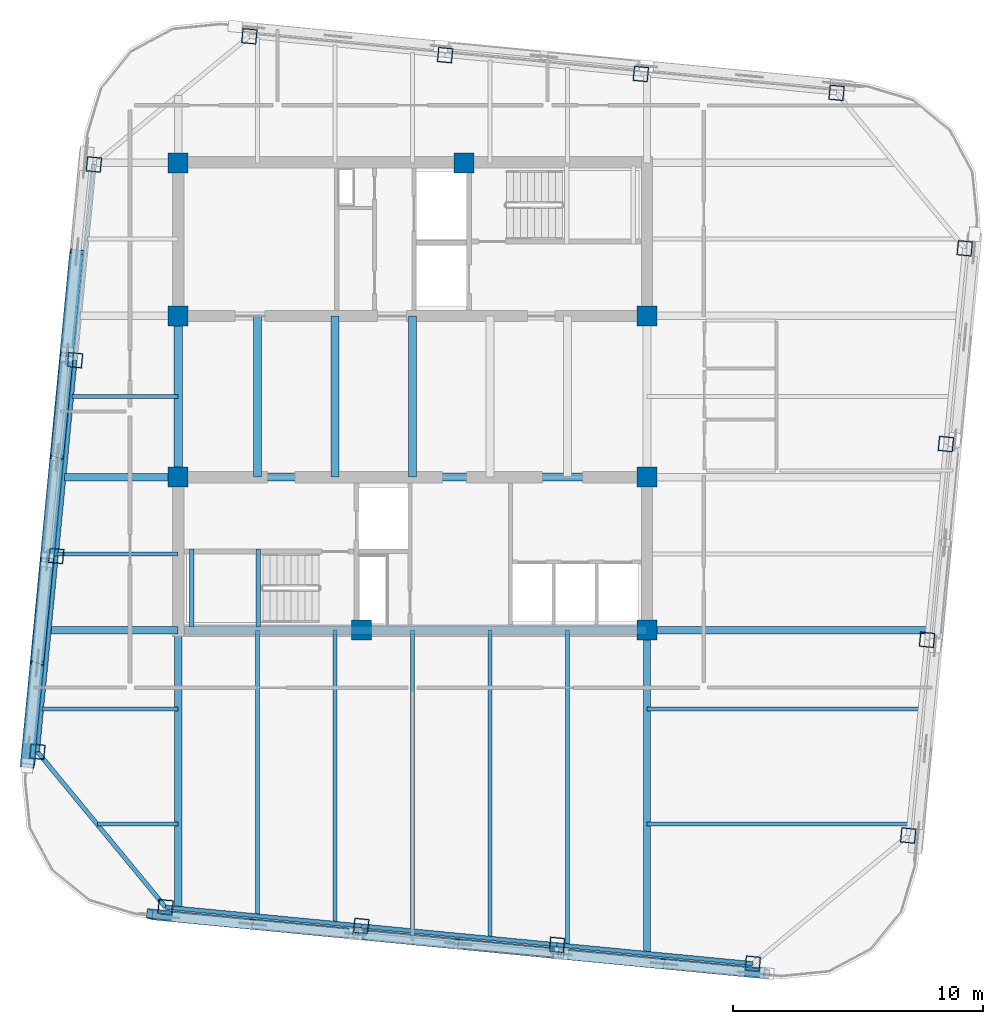
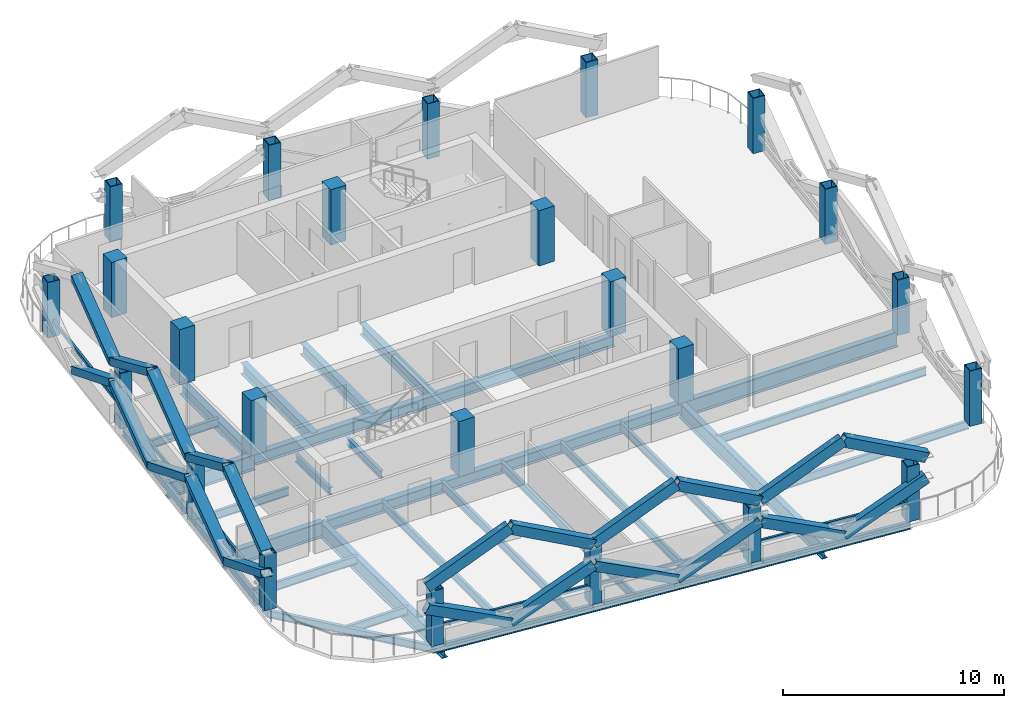
# One storey, part 1 of 10: 30 beams, 24 columns, 24 members.
"""IFC4 building model written with IfcOpenShell, lengths in metres."""

from ifc_helpers import new_model, si_unit, direction, frame, origin, origin_2d, place, context, subcontext, project, spatial, rectangle, hollow_rectangle, i_section, extrude, material, material_profile, profile_set, type_object, element, save


model = new_model("IFC4")

# Units and contexts
model_context = context("Model", 3, precision=1e-05, world=origin(), true_north=direction((0.0, 1.0)))
body_context = subcontext(model_context, "Body", "Model", "MODEL_VIEW")
ifc_project = project(units=[si_unit("LENGTHUNIT", "METRE"), si_unit("AREAUNIT", "SQUARE_METRE"), si_unit("VOLUMEUNIT", "CUBIC_METRE"), si_unit("PLANEANGLEUNIT", "RADIAN"), si_unit("MASSUNIT", "GRAM", prefix="KILO")], contexts=[model_context])

# Site, building, storey
site_placement = place(None, origin())
site = spatial("IfcSite", under=ifc_project, at=site_placement, CompositionType="ELEMENT")
building_placement = place(site_placement, origin())
building = spatial("IfcBuilding", under=site, at=building_placement, Name="Qhalaya Broadcast Tower", CompositionType="ELEMENT")
storey_placement = place(building_placement, frame((0.0, 0.0, 267.25)))
storey = spatial("IfcBuildingStorey", under=building, at=storey_placement, Name="L79", CompositionType="ELEMENT", Elevation=267.25)

# Columns
ifc_material_1 = material(Name="Concrete C50/60", Category="concrete")
ifc_material_profile_1 = material_profile(ifc_material_1, rectangle(XDim=0.800048828125, YDim=0.800048828125, at=origin_2d()), Name="RC-COL 800x800")
ifc_profile_set_1 = profile_set([ifc_material_profile_1], Name="Concrete C50/60")
column_type_1 = type_object("IfcColumnType", Name="RC Upper Column C10", PredefinedType="COLUMN", material=ifc_profile_set_1)
for number, where, z_axis, x_axis, name in (
    (1, (-9.375, 9.949951171875, 0.0), (0.0, 0.0, 1.0), (1.0, 0.0, 0.0), "L79 Column COL-CC1"),
    (2, (2.050048828125, 9.949951171875, 0.0), (0.0, 0.0, 1.0), (1.0, 0.0, 0.0), "L79 Column COL-CC2"),
    (3, (-9.375, 3.824951171875, 0.0), (0.0, 0.0, 1.0), (1.0, 0.0, 0.0), "L79 Column COL-CC3"),
    (4, (9.375, 3.824951171875, 0.0), (0.0, 0.0, 1.0), (1.0, 0.0, 0.0), "L79 Column COL-CC4"),
    (5, (-9.375, -2.625, 0.0), (0.0, 0.0, 1.0), (1.0, 0.0, 0.0), "L79 Column COL-CC5"),
    (6, (9.375, -2.625, 0.0), (0.0, 0.0, 1.0), (1.0, 0.0, 0.0), "L79 Column COL-CC6"),
    (7, (-2.050048828125, -8.75, 0.0), (0.0, 0.0, 1.0), (1.0, 0.0, 0.0), "L79 Column COL-CC7"),
    (8, (9.375, -8.75, 0.0), (0.0, 0.0, 1.0), (1.0, 0.0, 0.0), "L79 Column COL-CC8"),
):
    element("IfcColumn", number, at=place(storey_placement, frame(where, z_axis=z_axis, x_axis=x_axis)), inside=storey, type_object=column_type_1, Name=name, PredefinedType="COLUMN", context=body_context, shape_type="SweptSolid", body=[
        extrude(rectangle(XDim=0.800048828125, YDim=0.800048828125, at=origin_2d()), origin(), (0.0, 0.0, 1.0), 3.050048828125),
    ])
ifc_material_2 = material(Name="Structural Steel ASTM A572 Grade 50", Category="steel")
ifc_material_profile_2 = material_profile(ifc_material_2, hollow_rectangle(XDim=0.60009765625, YDim=0.60009765625, WallThickness=0.0400390625, at=origin_2d()), Name="BOX 600x600x40")
ifc_profile_set_2 = profile_set([ifc_material_profile_2], Name="Structural Steel ASTM A572 Grade 50")
column_type_2 = type_object("IfcColumnType", Name="Steel Box Column C05", PredefinedType="COLUMN", material=ifc_profile_set_2)
for number, where, z_axis, x_axis, name in (
    (9, (-9.883056640625, -19.82861328125, 0.0), (0.0, 0.0, 1.0), (0.995396198367, -0.09584575252, 0.0), "L79 Column COL-EX01"),
    (10, (-2.052490234375, -20.58251953125, 0.0), (0.0, 0.0, 1.0), (0.995396198367, -0.09584575252, 0.0), "L79 Column COL-EX02"),
    (11, (5.77783203125, -21.33642578125, 0.0), (0.0, 0.0, 1.0), (0.995396198367, -0.09584575252, 0.0), "L79 Column COL-EX03"),
    (12, (13.6083984375, -22.09033203125, 0.0), (0.0, 0.0, 1.0), (0.995396198367, -0.09584575252, 0.0), "L79 Column COL-EX04"),
    (13, (19.82861328125, -16.962890625, 0.0), (0.0, 0.0, 1.0), (0.09584575252, 0.995396198367, 0.0), "L79 Column COL-EX05"),
    (14, (20.58251953125, -9.132568359375, 0.0), (0.0, 0.0, 1.0), (0.09584575252, 0.995396198367, 0.0), "L79 Column COL-EX06"),
    (15, (21.33642578125, -1.302001953125, 0.0), (0.0, 0.0, 1.0), (0.09584575252, 0.995396198367, 0.0), "L79 Column COL-EX07"),
    (16, (22.09033203125, 6.5283203125, 0.0), (0.0, 0.0, 1.0), (0.09584575252, 0.995396198367, 0.0), "L79 Column COL-EX08"),
    (17, (16.962890625, 12.74853515625, 0.0), (0.0, 0.0, 1.0), (0.995396198367, -0.09584575252, 0.0), "L79 Column COL-EX09"),
    (18, (9.132568359375, 13.50244140625, 0.0), (0.0, 0.0, 1.0), (0.995396198367, -0.09584575252, 0.0), "L79 Column COL-EX10"),
    (19, (1.302001953125, 14.25634765625, 0.0), (0.0, 0.0, 1.0), (0.995396198367, -0.09584575252, 0.0), "L79 Column COL-EX11"),
    (20, (-6.5283203125, 15.010498046875, 0.0), (0.0, 0.0, 1.0), (0.995396198367, -0.09584575252, 0.0), "L79 Column COL-EX12"),
    (21, (-12.74853515625, 9.883056640625, 0.0), (0.0, 0.0, 1.0), (0.09584575252, 0.995396198367, 0.0), "L79 Column COL-EX13"),
    (22, (-13.50244140625, 2.052490234375, 0.0), (0.0, 0.0, 1.0), (0.09584575252, 0.995396198367, 0.0), "L79 Column COL-EX14"),
    (23, (-14.25634765625, -5.77783203125, 0.0), (0.0, 0.0, 1.0), (0.09584575252, 0.995396198367, 0.0), "L79 Column COL-EX15"),
    (24, (-15.010498046875, -13.6083984375, 0.0), (0.0, 0.0, 1.0), (0.09584575252, 0.995396198367, 0.0), "L79 Column COL-EX16"),
):
    element("IfcColumn", number, at=place(storey_placement, frame(where, z_axis=z_axis, x_axis=x_axis)), inside=storey, type_object=column_type_2, Name=name, PredefinedType="COLUMN", context=body_context, shape_type="SweptSolid", body=[
        extrude(hollow_rectangle(XDim=0.60009765625, YDim=0.60009765625, WallThickness=0.0400390625, at=origin_2d()), origin(), (0.0, 0.0, 1.0), 3.050048828125),
    ])

# Beams
ifc_material_3 = material(Name="Structural Steel ASTM A992 Grade 50", Category="steel")
ifc_material_profile_3 = material_profile(ifc_material_3, i_section(OverallWidth=0.154052734375, OverallDepth=0.458984375, WebThickness=0.009033203125, FlangeThickness=0.015380859375, at=origin_2d()), Name="W18X46")
ifc_profile_set_3 = profile_set([ifc_material_profile_3], Name="Structural Steel ASTM A992 Grade 50")
beam_type_1 = type_object("IfcBeamType", Name="Composite Floor Joist J04", PredefinedType="JOIST", material=ifc_profile_set_3)
beam_1_placement = place(storey_placement, frame((-6.199951171875, -20.1630859375, -0.41943359375), z_axis=(0.0, 1.0, 0.0), x_axis=(-1.0, 0.0, 0.0)))
element("IfcBeam", 25, at=beam_1_placement, inside=storey, type_object=beam_type_1, Name="L79 J04 L79-JNS1-1", PredefinedType="JOIST", context=body_context, shape_type="SweptSolid", body=[
    extrude(i_section(OverallWidth=0.154052734375, OverallDepth=0.458984375, WebThickness=0.009033203125, FlangeThickness=0.015380859375, at=origin_2d()), origin(), (0.0, 0.0, 1.0), 11.4130859375),
])
beam_2_placement = place(storey_placement, frame((-3.10009765625, -20.46142578125, -0.41943359375), z_axis=(0.0, 1.0, 0.0), x_axis=(-1.0, 0.0, 0.0)))
element("IfcBeam", 26, at=beam_2_placement, inside=storey, type_object=beam_type_1, Name="L79 J04 L79-JNS2-1", PredefinedType="JOIST", context=body_context, shape_type="SweptSolid", body=[
    extrude(i_section(OverallWidth=0.154052734375, OverallDepth=0.458984375, WebThickness=0.009033203125, FlangeThickness=0.015380859375, at=origin_2d()), origin(), (0.0, 0.0, 1.0), 11.71142578125),
])
beam_3_placement = place(storey_placement, frame((0.0, -20.760009765625, -0.41943359375), z_axis=(0.0, 1.0, 0.0), x_axis=(-1.0, 0.0, 0.0)))
element("IfcBeam", 27, at=beam_3_placement, inside=storey, type_object=beam_type_1, Name="L79 J04 L79-JNS3-1", PredefinedType="JOIST", context=body_context, shape_type="SweptSolid", body=[
    extrude(i_section(OverallWidth=0.154052734375, OverallDepth=0.458984375, WebThickness=0.009033203125, FlangeThickness=0.015380859375, at=origin_2d()), origin(), (0.0, 0.0, 1.0), 12.010009765625),
])
beam_4_placement = place(storey_placement, frame((3.10009765625, -21.058349609375, -0.41943359375), z_axis=(0.0, 1.0, 0.0), x_axis=(-1.0, 0.0, 0.0)))
element("IfcBeam", 28, at=beam_4_placement, inside=storey, type_object=beam_type_1, Name="L79 J04 L79-JNS4-1", PredefinedType="JOIST", context=body_context, shape_type="SweptSolid", body=[
    extrude(i_section(OverallWidth=0.154052734375, OverallDepth=0.458984375, WebThickness=0.009033203125, FlangeThickness=0.015380859375, at=origin_2d()), origin(), (0.0, 0.0, 1.0), 12.308349609375),
])
beam_5_placement = place(storey_placement, frame((6.199951171875, -21.35693359375, -0.41943359375), z_axis=(0.0, 1.0, 0.0), x_axis=(-1.0, 0.0, 0.0)))
element("IfcBeam", 29, at=beam_5_placement, inside=storey, type_object=beam_type_1, Name="L79 J04 L79-JNS5-1", PredefinedType="JOIST", context=body_context, shape_type="SweptSolid", body=[
    extrude(i_section(OverallWidth=0.154052734375, OverallDepth=0.458984375, WebThickness=0.009033203125, FlangeThickness=0.015380859375, at=origin_2d()), origin(), (0.0, 0.0, 1.0), 12.60693359375),
])
beam_6_placement = place(storey_placement, frame((-12.600830078125, -16.5, -0.41943359375), z_axis=(1.0, 0.0, 0.0), x_axis=(0.0, 1.0, 0.0)))
element("IfcBeam", 30, at=beam_6_placement, inside=storey, type_object=beam_type_1, Name="L79 J04 L79-JWE1W-1", PredefinedType="JOIST", context=body_context, shape_type="SweptSolid", body=[
    extrude(i_section(OverallWidth=0.154052734375, OverallDepth=0.458984375, WebThickness=0.009033203125, FlangeThickness=0.015380859375, at=origin_2d()), origin(), (0.0, 0.0, 1.0), 3.225830078125),
])
beam_7_placement = place(storey_placement, frame((9.375, -16.5, -0.41943359375), z_axis=(1.0, 0.0, 0.0), x_axis=(0.0, 1.0, 0.0)))
element("IfcBeam", 31, at=beam_7_placement, inside=storey, type_object=beam_type_1, Name="L79 J04 L79-JWE1E-1", PredefinedType="JOIST", context=body_context, shape_type="SweptSolid", body=[
    extrude(i_section(OverallWidth=0.154052734375, OverallDepth=0.458984375, WebThickness=0.009033203125, FlangeThickness=0.015380859375, at=origin_2d()), origin(), (0.0, 0.0, 1.0), 10.47802734375),
])
beam_8_placement = place(storey_placement, frame((-14.82568359375, -11.89990234375, -0.41943359375), z_axis=(1.0, 0.0, 0.0), x_axis=(0.0, 1.0, 0.0)))
element("IfcBeam", 32, at=beam_8_placement, inside=storey, type_object=beam_type_1, Name="L79 J04 L79-JWE2W-1", PredefinedType="JOIST", context=body_context, shape_type="SweptSolid", body=[
    extrude(i_section(OverallWidth=0.154052734375, OverallDepth=0.458984375, WebThickness=0.009033203125, FlangeThickness=0.015380859375, at=origin_2d()), origin(), (0.0, 0.0, 1.0), 5.45068359375),
])
beam_9_placement = place(storey_placement, frame((9.375, -11.89990234375, -0.41943359375), z_axis=(1.0, 0.0, 0.0), x_axis=(0.0, 1.0, 0.0)))
element("IfcBeam", 33, at=beam_9_placement, inside=storey, type_object=beam_type_1, Name="L79 J04 L79-JWE2E-1", PredefinedType="JOIST", context=body_context, shape_type="SweptSolid", body=[
    extrude(i_section(OverallWidth=0.154052734375, OverallDepth=0.458984375, WebThickness=0.009033203125, FlangeThickness=0.015380859375, at=origin_2d()), origin(), (0.0, 0.0, 1.0), 10.9208984375),
])
beam_10_placement = place(storey_placement, frame((-14.228759765625, -5.699951171875, -0.41943359375), z_axis=(1.0, 0.0, 0.0), x_axis=(0.0, 1.0, 0.0)))
element("IfcBeam", 34, at=beam_10_placement, inside=storey, type_object=beam_type_1, Name="L79 J04 L79-JWE3W-1", PredefinedType="JOIST", context=body_context, shape_type="SweptSolid", body=[
    extrude(i_section(OverallWidth=0.154052734375, OverallDepth=0.458984375, WebThickness=0.009033203125, FlangeThickness=0.015380859375, at=origin_2d()), origin(), (0.0, 0.0, 1.0), 4.853759765625),
])
beam_11_placement = place(storey_placement, frame((-13.622314453125, 0.60009765625, -0.41943359375), z_axis=(1.0, 0.0, 0.0), x_axis=(0.0, 1.0, 0.0)))
element("IfcBeam", 35, at=beam_11_placement, inside=storey, type_object=beam_type_1, Name="L79 J04 L79-JWE4W-1", PredefinedType="JOIST", context=body_context, shape_type="SweptSolid", body=[
    extrude(i_section(OverallWidth=0.154052734375, OverallDepth=0.458984375, WebThickness=0.009033203125, FlangeThickness=0.015380859375, at=origin_2d()), origin(), (0.0, 0.0, 1.0), 4.247314453125),
])
ifc_material_profile_4 = material_profile(ifc_material_3, i_section(OverallWidth=0.323974609375, OverallDepth=0.612060546875, WebThickness=0.0126953125, FlangeThickness=0.01904296875, at=origin_2d()), Name="W24X104")
ifc_profile_set_4 = profile_set([ifc_material_profile_4], Name="Structural Steel ASTM A992 Grade 50")
beam_type_2 = type_object("IfcBeamType", Name="Core Frame Tie Beam B04", PredefinedType="BEAM", material=ifc_profile_set_4)
beam_12_placement = place(storey_placement, frame((-9.375, -2.625, -0.49609375), z_axis=(1.0, 0.0, 0.0), x_axis=(0.0, 1.0, 0.0)))
element("IfcBeam", 36, at=beam_12_placement, inside=storey, type_object=beam_type_2, Name="L79 B04 L79-CCS1", PredefinedType="BEAM", context=body_context, shape_type="SweptSolid", body=[
    extrude(i_section(OverallWidth=0.323974609375, OverallDepth=0.612060546875, WebThickness=0.0126953125, FlangeThickness=0.01904296875, at=origin_2d()), origin(), (0.0, 0.0, 1.0), 18.75),
])
beam_13_placement = place(storey_placement, frame((-9.1201171875, -8.75, -0.49609375), z_axis=(1.0, 0.0, 0.0), x_axis=(0.0, 1.0, 0.0)))
element("IfcBeam", 37, at=beam_13_placement, inside=storey, type_object=beam_type_2, Name="L79 B04 L79-CCS3", PredefinedType="BEAM", context=body_context, shape_type="SweptSolid", body=[
    extrude(i_section(OverallWidth=0.323974609375, OverallDepth=0.612060546875, WebThickness=0.0126953125, FlangeThickness=0.01904296875, at=origin_2d()), origin(), (0.0, 0.0, 1.0), 18.4951171875),
])
for number, where, z_axis, x_axis, name in (
    (38, (-9.375, -2.625, -0.49609375), (0.0, 1.0, 0.0), (-1.0, 0.0, 0.0), "L79 B04 L79-CCW"),
    (39, (-6.199951171875, -2.625, -0.49609375), (0.0, 1.0, 0.0), (-1.0, 0.0, 0.0), "L79 B04 L79-JC1-1"),
    (40, (-3.10009765625, -2.625, -0.49609375), (0.0, 1.0, 0.0), (-1.0, 0.0, 0.0), "L79 B04 L79-JC2-1"),
    (41, (0.0, -2.625, -0.49609375), (0.0, 1.0, 0.0), (-1.0, 0.0, 0.0), "L79 B04 L79-JC3-1"),
):
    element("IfcBeam", number, at=place(storey_placement, frame(where, z_axis=z_axis, x_axis=x_axis)), inside=storey, type_object=beam_type_2, Name=name, PredefinedType="BEAM", context=body_context, shape_type="SweptSolid", body=[
        extrude(i_section(OverallWidth=0.323974609375, OverallDepth=0.612060546875, WebThickness=0.0126953125, FlangeThickness=0.01904296875, at=origin_2d()), origin(), (0.0, 0.0, 1.0), 6.449951171875),
    ])

# Members
ifc_material_profile_5 = material_profile(ifc_material_2, hollow_rectangle(XDim=0.3798828125, YDim=0.550048828125, WallThickness=0.02490234375, at=origin_2d()), Name="BOX 380x550x25")
ifc_profile_set_5 = profile_set([ifc_material_profile_5], Name="Structural Steel ASTM A572 Grade 50")
member_type_1 = type_object("IfcMemberType", Name="Exoskeleton Diamond Diagonal Upper EX4", PredefinedType="BRACE", material=ifc_profile_set_5)
for number, where, z_axis, x_axis, name in (
    (42, (-6.3984375, -20.505615234375, 0.360107421875), (-0.901082487863, 0.086782392464, 0.424875471668), (-0.135959080811, -0.986907818813, -0.086764540636), "B6 Exoskeleton Diamond Brace S1-D1"),
    (43, (-6.3984375, -20.505615234375, 0.360107421875), (0.901086667884, -0.086729324431, 0.424877442618), (0.135901243247, 0.986915792739, -0.086764451973), "B6 Exoskeleton Diamond Brace S1-D2"),
):
    element("IfcMember", number, at=place(storey_placement, frame(where, z_axis=z_axis, x_axis=x_axis)), inside=storey, type_object=member_type_1, Name=name, PredefinedType="BRACE", context=body_context, shape_type="SweptSolid", body=[
        extrude(hollow_rectangle(XDim=0.3798828125, YDim=0.550048828125, WallThickness=0.02490234375, at=origin_2d()), origin(), (0.0, 0.0, 1.0), 4.56591796875),
    ])
for number, where, z_axis, x_axis, name in (
    (44, (-10.5126953125, -20.109375, 3.469970703125), (0.890875041378, -0.085799323057, 0.44607189646), (0.137981311213, 0.986713059737, -0.085781673454), "B6 Exoskeleton Diamond Brace S1-D3"),
    (45, (-2.2841796875, -20.901611328125, 3.469970703125), (-0.890879080948, 0.085746847217, 0.446073919122), (-0.13792349003, -0.986721152086, -0.085781576831), "B6 Exoskeleton Diamond Brace S1-D4"),
):
    element("IfcMember", number, at=place(storey_placement, frame(where, z_axis=z_axis, x_axis=x_axis)), inside=storey, type_object=member_type_1, Name=name, PredefinedType="BRACE", context=body_context, shape_type="SweptSolid", body=[
        extrude(hollow_rectangle(XDim=0.3798828125, YDim=0.550048828125, WallThickness=0.02490234375, at=origin_2d()), origin(), (0.0, 0.0, 1.0), 4.6181640625),
    ])
for number, where, z_axis, x_axis, name in (
    (46, (1.830078125, -21.2978515625, 0.360107421875), (-0.901082487863, 0.086782392464, 0.424875471668), (-0.135959080811, -0.986907818813, -0.086764540636), "B6 Exoskeleton Diamond Brace S2-D1"),
    (47, (1.830078125, -21.2978515625, 0.360107421875), (0.901082487863, -0.086782392464, 0.424875471668), (0.135959080811, 0.986907818813, -0.086764540636), "B6 Exoskeleton Diamond Brace S2-D2"),
):
    element("IfcMember", number, at=place(storey_placement, frame(where, z_axis=z_axis, x_axis=x_axis)), inside=storey, type_object=member_type_1, Name=name, PredefinedType="BRACE", context=body_context, shape_type="SweptSolid", body=[
        extrude(hollow_rectangle(XDim=0.3798828125, YDim=0.550048828125, WallThickness=0.02490234375, at=origin_2d()), origin(), (0.0, 0.0, 1.0), 4.56591796875),
    ])
for number, where, z_axis, x_axis, name in (
    (48, (-2.2841796875, -20.901611328125, 3.469970703125), (0.890875041378, -0.085799323057, 0.44607189646), (0.137981311213, 0.986713059737, -0.085781673454), "B6 Exoskeleton Diamond Brace S2-D3"),
    (49, (5.9443359375, -21.694091796875, 3.469970703125), (-0.890875041378, 0.085799323057, 0.44607189646), (-0.137981311213, -0.986713059737, -0.085781673454), "B6 Exoskeleton Diamond Brace S2-D4"),
):
    element("IfcMember", number, at=place(storey_placement, frame(where, z_axis=z_axis, x_axis=x_axis)), inside=storey, type_object=member_type_1, Name=name, PredefinedType="BRACE", context=body_context, shape_type="SweptSolid", body=[
        extrude(hollow_rectangle(XDim=0.3798828125, YDim=0.550048828125, WallThickness=0.02490234375, at=origin_2d()), origin(), (0.0, 0.0, 1.0), 4.6181640625),
    ])
member_1_placement = place(storey_placement, frame((10.05859375, -22.090087890625, 0.360107421875), z_axis=(-0.901086667884, 0.086729324431, 0.424877442618), x_axis=(-0.135901243247, -0.986915792739, -0.086764451973)))
element("IfcMember", 50, at=member_1_placement, inside=storey, type_object=member_type_1, Name="B6 Exoskeleton Diamond Brace S3-D1", PredefinedType="BRACE", context=body_context, shape_type="SweptSolid", body=[
    extrude(hollow_rectangle(XDim=0.3798828125, YDim=0.550048828125, WallThickness=0.02490234375, at=origin_2d()), origin(), (0.0, 0.0, 1.0), 4.56591796875),
])
member_2_placement = place(storey_placement, frame((10.05859375, -22.090087890625, 0.360107421875), z_axis=(0.901092542256, -0.086778211362, 0.424855001529), x_axis=(0.13595153986, 0.98690877669, -0.086765461452)))
element("IfcMember", 51, at=member_2_placement, inside=storey, type_object=member_type_1, Name="B6 Exoskeleton Diamond Brace S3-D2", PredefinedType="BRACE", context=body_context, shape_type="SweptSolid", body=[
    extrude(hollow_rectangle(XDim=0.3798828125, YDim=0.550048828125, WallThickness=0.02490234375, at=origin_2d()), origin(), (0.0, 0.0, 1.0), 4.566162109375),
])
member_3_placement = place(storey_placement, frame((5.9443359375, -21.694091796875, 3.469970703125), z_axis=(0.890879080948, -0.085746847217, 0.446073919122), x_axis=(0.13792349003, 0.986721152086, -0.085781576831)))
element("IfcMember", 52, at=member_3_placement, inside=storey, type_object=member_type_1, Name="B6 Exoskeleton Diamond Brace S3-D3", PredefinedType="BRACE", context=body_context, shape_type="SweptSolid", body=[
    extrude(hollow_rectangle(XDim=0.3798828125, YDim=0.550048828125, WallThickness=0.02490234375, at=origin_2d()), origin(), (0.0, 0.0, 1.0), 4.6181640625),
])
member_4_placement = place(storey_placement, frame((14.173095703125, -22.486328125, 3.469970703125), z_axis=(-0.890885948787, 0.085795282435, 0.446050889211), x_axis=(-0.137973720123, -0.986714034, -0.085782676943)))
element("IfcMember", 53, at=member_4_placement, inside=storey, type_object=member_type_1, Name="B6 Exoskeleton Diamond Brace S3-D4", PredefinedType="BRACE", context=body_context, shape_type="SweptSolid", body=[
    extrude(hollow_rectangle(XDim=0.3798828125, YDim=0.550048828125, WallThickness=0.02490234375, at=origin_2d()), origin(), (0.0, 0.0, 1.0), 4.618408203125),
])
member_5_placement = place(storey_placement, frame((-13.425537109375, 6.3984375, 0.360107421875), z_axis=(-0.086782392464, -0.901082487863, 0.424875471668), x_axis=(0.135947686721, 0.411783290594, 0.901084206977)))
element("IfcMember", 54, at=member_5_placement, inside=storey, type_object=member_type_1, Name="B6 Exoskeleton Diamond Brace W1-D2", PredefinedType="BRACE", context=body_context, shape_type="SweptSolid", body=[
    extrude(hollow_rectangle(XDim=0.3798828125, YDim=0.550048828125, WallThickness=0.02490234375, at=origin_2d()), origin(), (0.0, 0.0, 1.0), 4.56591796875),
])
member_6_placement = place(storey_placement, frame((-13.82177734375, 2.2841796875, 3.469970703125), z_axis=(0.085799323057, 0.890875041378, 0.44607189646), x_axis=(-0.137970337057, -0.432784956306, 0.890876741018)))
element("IfcMember", 55, at=member_6_placement, inside=storey, type_object=member_type_1, Name="B6 Exoskeleton Diamond Brace W1-D4", PredefinedType="BRACE", context=body_context, shape_type="SweptSolid", body=[
    extrude(hollow_rectangle(XDim=0.3798828125, YDim=0.550048828125, WallThickness=0.02490234375, at=origin_2d()), origin(), (0.0, 0.0, 1.0), 4.6181640625),
])
for number, where, z_axis, x_axis, name in (
    (56, (-14.218017578125, -1.830078125, 0.360107421875), (0.086782392464, 0.901082487863, 0.424875471668), (-0.135947686721, -0.411783290594, 0.901084206977), "B6 Exoskeleton Diamond Brace W2-D1"),
    (57, (-14.218017578125, -1.830078125, 0.360107421875), (-0.086729324431, -0.901086667884, 0.424877442618), (0.135923663598, 0.411793235794, 0.901083286177), "B6 Exoskeleton Diamond Brace W2-D2"),
):
    element("IfcMember", number, at=place(storey_placement, frame(where, z_axis=z_axis, x_axis=x_axis)), inside=storey, type_object=member_type_1, Name=name, PredefinedType="BRACE", context=body_context, shape_type="SweptSolid", body=[
        extrude(hollow_rectangle(XDim=0.3798828125, YDim=0.550048828125, WallThickness=0.02490234375, at=origin_2d()), origin(), (0.0, 0.0, 1.0), 4.56591796875),
    ])
for number, where, z_axis, x_axis, name in (
    (58, (-13.82177734375, 2.2841796875, 3.469970703125), (-0.085799323057, -0.890875041378, 0.44607189646), (0.137970337057, 0.432784956306, 0.890876741018), "B6 Exoskeleton Diamond Brace W2-D3"),
    (59, (-14.614013671875, -5.9443359375, 3.469970703125), (0.085746847217, 0.890879080948, 0.446073919122), (-0.137945084066, -0.432795071629, 0.89087573755), "B6 Exoskeleton Diamond Brace W2-D4"),
):
    element("IfcMember", number, at=place(storey_placement, frame(where, z_axis=z_axis, x_axis=x_axis)), inside=storey, type_object=member_type_1, Name=name, PredefinedType="BRACE", context=body_context, shape_type="SweptSolid", body=[
        extrude(hollow_rectangle(XDim=0.3798828125, YDim=0.550048828125, WallThickness=0.02490234375, at=origin_2d()), origin(), (0.0, 0.0, 1.0), 4.6181640625),
    ])
member_7_placement = place(storey_placement, frame((-15.01025390625, -10.05859375, 0.360107421875), z_axis=(0.086782392464, 0.901082487863, 0.424875471668), x_axis=(-0.135947686721, -0.411783290594, 0.901084206977)))
element("IfcMember", 60, at=member_7_placement, inside=storey, type_object=member_type_1, Name="B6 Exoskeleton Diamond Brace W3-D1", PredefinedType="BRACE", context=body_context, shape_type="SweptSolid", body=[
    extrude(hollow_rectangle(XDim=0.3798828125, YDim=0.550048828125, WallThickness=0.02490234375, at=origin_2d()), origin(), (0.0, 0.0, 1.0), 4.56591796875),
])
member_8_placement = place(storey_placement, frame((-15.01025390625, -10.05859375, 0.360107421875), z_axis=(-0.086778211362, -0.901092542256, 0.424855001529), x_axis=(0.135943401915, 0.411763778277, 0.901093770023)))
element("IfcMember", 61, at=member_8_placement, inside=storey, type_object=member_type_1, Name="B6 Exoskeleton Diamond Brace W3-D2", PredefinedType="BRACE", context=body_context, shape_type="SweptSolid", body=[
    extrude(hollow_rectangle(XDim=0.3798828125, YDim=0.550048828125, WallThickness=0.02490234375, at=origin_2d()), origin(), (0.0, 0.0, 1.0), 4.566162109375),
])
member_9_placement = place(storey_placement, frame((-14.614013671875, -5.9443359375, 3.469970703125), z_axis=(-0.085799323057, -0.890875041378, 0.44607189646), x_axis=(0.137970337057, 0.432784956306, 0.890876741018)))
element("IfcMember", 62, at=member_9_placement, inside=storey, type_object=member_type_1, Name="B6 Exoskeleton Diamond Brace W3-D3", PredefinedType="BRACE", context=body_context, shape_type="SweptSolid", body=[
    extrude(hollow_rectangle(XDim=0.3798828125, YDim=0.550048828125, WallThickness=0.02490234375, at=origin_2d()), origin(), (0.0, 0.0, 1.0), 4.6181640625),
])
member_10_placement = place(storey_placement, frame((-15.406494140625, -14.173095703125, 3.469970703125), z_axis=(0.085795282435, 0.890885948787, 0.446050889211), x_axis=(-0.137965882086, -0.432764923266, 0.890887162648)))
element("IfcMember", 63, at=member_10_placement, inside=storey, type_object=member_type_1, Name="B6 Exoskeleton Diamond Brace W3-D4", PredefinedType="BRACE", context=body_context, shape_type="SweptSolid", body=[
    extrude(hollow_rectangle(XDim=0.3798828125, YDim=0.550048828125, WallThickness=0.02490234375, at=origin_2d()), origin(), (0.0, 0.0, 1.0), 4.618408203125),
])
ifc_material_4 = material(Name="Fired Architectural Terracotta", Category="masonry")
ifc_material_profile_6 = material_profile(ifc_material_4, hollow_rectangle(XDim=0.110107421875, YDim=0.179931640625, WallThickness=0.01806640625, at=origin_2d()), Name="TB-BAG 110x180x18")
ifc_profile_set_6 = profile_set([ifc_material_profile_6], Name="Fired Architectural Terracotta")
member_type_2 = type_object("IfcMemberType", Name="Fired Terracotta Facade Baguette Member TB1", PredefinedType="USERDEFINED", material=ifc_profile_set_6)
for number, where, z_axis, x_axis, name in (
    (64, (-9.883056640625, -19.82861328125, 0.85791015625), (0.995397213397, -0.095835210452, 0.0), (0.095835210452, 0.995397213397, 0.0), "L79 Terracotta Baguette Feature Rail S"),
    (65, (-12.74853515625, 9.883056640625, 0.85791015625), (-0.095845460331, -0.995396226502, 0.0), (0.995396226502, -0.095845460331, 0.0), "L79 Terracotta Baguette Feature Rail W"),
):
    element("IfcMember", number, at=place(storey_placement, frame(where, z_axis=z_axis, x_axis=x_axis)), inside=storey, type_object=member_type_2, Name=name, ObjectType="BAGUETTE", PredefinedType="USERDEFINED", context=body_context, shape_type="SweptSolid", body=[
        extrude(hollow_rectangle(XDim=0.110107421875, YDim=0.179931640625, WallThickness=0.01806640625, at=origin_2d()), origin(), (0.0, 0.0, 1.0), 23.60009765625),
    ])

# Beams
ifc_material_profile_7 = material_profile(ifc_material_3, i_section(OverallWidth=0.2919921875, OverallDepth=0.85888671875, WebThickness=0.01708984375, FlangeThickness=0.031005859375, at=origin_2d()), Name="W33X169")
ifc_profile_set_7 = profile_set([ifc_material_profile_7], Name="Structural Steel ASTM A992 Grade 50")
beam_type_3 = type_object("IfcBeamType", Name="Upper Block Primary Girder PG4", PredefinedType="USERDEFINED", material=ifc_profile_set_7)
beam_14_placement = place(storey_placement, frame((-9.375, -19.857421875, -0.619384765625), z_axis=(0.0, 1.0, 0.0), x_axis=(-1.0, 0.0, 0.0)))
element("IfcBeam", 66, at=beam_14_placement, inside=storey, type_object=beam_type_3, Name="L79 PG4 L79-PGXS1-1", ObjectType="GIRDER", PredefinedType="USERDEFINED", context=body_context, shape_type="SweptSolid", body=[
    extrude(i_section(OverallWidth=0.2919921875, OverallDepth=0.85888671875, WebThickness=0.01708984375, FlangeThickness=0.031005859375, at=origin_2d()), origin(), (0.0, 0.0, 1.0), 11.107421875),
])
beam_15_placement = place(storey_placement, frame((9.375, -21.66259765625, -0.619384765625), z_axis=(0.0, 1.0, 0.0), x_axis=(-1.0, 0.0, 0.0)))
element("IfcBeam", 67, at=beam_15_placement, inside=storey, type_object=beam_type_3, Name="L79 PG4 L79-PGXS2-1", ObjectType="GIRDER", PredefinedType="USERDEFINED", context=body_context, shape_type="SweptSolid", body=[
    extrude(i_section(OverallWidth=0.2919921875, OverallDepth=0.85888671875, WebThickness=0.01708984375, FlangeThickness=0.031005859375, at=origin_2d()), origin(), (0.0, 0.0, 1.0), 12.91259765625),
])
beam_16_placement = place(storey_placement, frame((-14.5224609375, -8.75, -0.619384765625), z_axis=(1.0, 0.0, 0.0), x_axis=(0.0, 1.0, 0.0)))
element("IfcBeam", 68, at=beam_16_placement, inside=storey, type_object=beam_type_3, Name="L79 PG4 L79-PGYW1-1", ObjectType="GIRDER", PredefinedType="USERDEFINED", context=body_context, shape_type="SweptSolid", body=[
    extrude(i_section(OverallWidth=0.2919921875, OverallDepth=0.85888671875, WebThickness=0.01708984375, FlangeThickness=0.031005859375, at=origin_2d()), origin(), (0.0, 0.0, 1.0), 5.1474609375),
])
beam_17_placement = place(storey_placement, frame((9.375, -8.75, -0.619384765625), z_axis=(1.0, 0.0, 0.0), x_axis=(0.0, 1.0, 0.0)))
element("IfcBeam", 69, at=beam_17_placement, inside=storey, type_object=beam_type_3, Name="L79 PG4 L79-PGYE1-1", ObjectType="GIRDER", PredefinedType="USERDEFINED", context=body_context, shape_type="SweptSolid", body=[
    extrude(i_section(OverallWidth=0.2919921875, OverallDepth=0.85888671875, WebThickness=0.01708984375, FlangeThickness=0.031005859375, at=origin_2d()), origin(), (0.0, 0.0, 1.0), 11.22412109375),
])
beam_18_placement = place(storey_placement, frame((-13.9326171875, -2.625, -0.619384765625), z_axis=(1.0, 0.0, 0.0), x_axis=(0.0, 1.0, 0.0)))
element("IfcBeam", 70, at=beam_18_placement, inside=storey, type_object=beam_type_3, Name="L79 PG4 L79-PGYW2-1", ObjectType="GIRDER", PredefinedType="USERDEFINED", context=body_context, shape_type="SweptSolid", body=[
    extrude(i_section(OverallWidth=0.2919921875, OverallDepth=0.85888671875, WebThickness=0.01708984375, FlangeThickness=0.031005859375, at=origin_2d()), origin(), (0.0, 0.0, 1.0), 4.5576171875),
])
ifc_material_profile_8 = material_profile(ifc_material_3, i_section(OverallWidth=0.177978515625, OverallDepth=0.406005859375, WebThickness=0.0078125, FlangeThickness=0.0126953125, at=origin_2d()), Name="W16X40")
ifc_profile_set_8 = profile_set([ifc_material_profile_8], Name="Structural Steel ASTM A992 Grade 50")
beam_type_4 = type_object("IfcBeamType", Name="Upper Perimeter Spandrel Beam SP2", PredefinedType="SPANDREL", material=ifc_profile_set_8)
beam_19_placement = place(storey_placement, frame((-9.883056640625, -19.82861328125, -0.39306640625), z_axis=(0.995397308407, -0.095834223619, 0.0), x_axis=(0.095834223619, 0.995397308407, 0.0)))
element("IfcBeam", 71, at=beam_19_placement, inside=storey, type_object=beam_type_4, Name="L79 SP2 L79-SPR-01", PredefinedType="SPANDREL", context=body_context, shape_type="SweptSolid", body=[
    extrude(i_section(OverallWidth=0.177978515625, OverallDepth=0.406005859375, WebThickness=0.0078125, FlangeThickness=0.0126953125, at=origin_2d()), origin(), (0.0, 0.0, 1.0), 7.86669921875),
])
beam_20_placement = place(storey_placement, frame((-2.052490234375, -20.58251953125, -0.39306640625), z_axis=(0.995397023367, -0.095837184179, 0.0), x_axis=(0.095837184179, 0.995397023367, 0.0)))
element("IfcBeam", 72, at=beam_20_placement, inside=storey, type_object=beam_type_4, Name="L79 SP2 L79-SPR-02", PredefinedType="SPANDREL", context=body_context, shape_type="SweptSolid", body=[
    extrude(i_section(OverallWidth=0.177978515625, OverallDepth=0.406005859375, WebThickness=0.0078125, FlangeThickness=0.0126953125, at=origin_2d()), origin(), (0.0, 0.0, 1.0), 7.866455078125),
])
beam_21_placement = place(storey_placement, frame((5.77783203125, -21.33642578125, -0.39306640625), z_axis=(0.995397308407, -0.095834223619, 0.0), x_axis=(0.095834223619, 0.995397308407, 0.0)))
element("IfcBeam", 73, at=beam_21_placement, inside=storey, type_object=beam_type_4, Name="L79 SP2 L79-SPR-03", PredefinedType="SPANDREL", context=body_context, shape_type="SweptSolid", body=[
    extrude(i_section(OverallWidth=0.177978515625, OverallDepth=0.406005859375, WebThickness=0.0078125, FlangeThickness=0.0126953125, at=origin_2d()), origin(), (0.0, 0.0, 1.0), 7.86669921875),
])
beam_22_placement = place(storey_placement, frame((-13.50244140625, 2.052490234375, -0.39306640625), z_axis=(-0.095837184179, -0.995397023367, 0.0), x_axis=(0.995397023367, -0.095837184179, 0.0)))
element("IfcBeam", 74, at=beam_22_placement, inside=storey, type_object=beam_type_4, Name="L79 SP2 L79-SPR-14", PredefinedType="SPANDREL", context=body_context, shape_type="SweptSolid", body=[
    extrude(i_section(OverallWidth=0.177978515625, OverallDepth=0.406005859375, WebThickness=0.0078125, FlangeThickness=0.0126953125, at=origin_2d()), origin(), (0.0, 0.0, 1.0), 7.866455078125),
])
beam_23_placement = place(storey_placement, frame((-14.25634765625, -5.77783203125, -0.39306640625), z_axis=(-0.095864972855, -0.995394347472, 0.0), x_axis=(0.995394347472, -0.095864972855, 0.0)))
element("IfcBeam", 75, at=beam_23_placement, inside=storey, type_object=beam_type_4, Name="L79 SP2 L79-SPR-15", PredefinedType="SPANDREL", context=body_context, shape_type="SweptSolid", body=[
    extrude(i_section(OverallWidth=0.177978515625, OverallDepth=0.406005859375, WebThickness=0.0078125, FlangeThickness=0.0126953125, at=origin_2d()), origin(), (0.0, 0.0, 1.0), 7.86669921875),
])
beam_24_placement = place(storey_placement, frame((-15.010498046875, -13.6083984375, -0.39306640625), z_axis=(0.636070241972, -0.771631160126, 0.0), x_axis=(0.771631160126, 0.636070241972, 0.0)))
element("IfcBeam", 76, at=beam_24_placement, inside=storey, type_object=beam_type_4, Name="L79 SP2 L79-SPR-16", PredefinedType="SPANDREL", context=body_context, shape_type="SweptSolid", body=[
    extrude(i_section(OverallWidth=0.177978515625, OverallDepth=0.406005859375, WebThickness=0.0078125, FlangeThickness=0.0126953125, at=origin_2d()), origin(), (0.0, 0.0, 1.0), 8.06103515625),
])
for number, where, z_axis, x_axis, name in (
    (77, (-8.830078125, -8.6201171875, 1.1220703125), (0.0, 1.0, 0.0), (-1.0, 0.0, 0.0), "L79 ST-2 Half-Landing Bearer Beam 1"),
    (78, (-6.175048828125, -8.6201171875, 1.1220703125), (0.0, 1.0, 0.0), (-1.0, 0.0, 0.0), "L79 ST-2 Half-Landing Bearer Beam 2"),
):
    element("IfcBeam", number, at=place(storey_placement, frame(where, z_axis=z_axis, x_axis=x_axis)), inside=storey, type_object=beam_type_4, Name=name, PredefinedType="SPANDREL", context=body_context, shape_type="SweptSolid", body=[
        extrude(i_section(OverallWidth=0.177978515625, OverallDepth=0.406005859375, WebThickness=0.0078125, FlangeThickness=0.0126953125, at=origin_2d()), origin(), (0.0, 0.0, 1.0), 3.1201171875),
    ])

save(model, "model.ifc")
